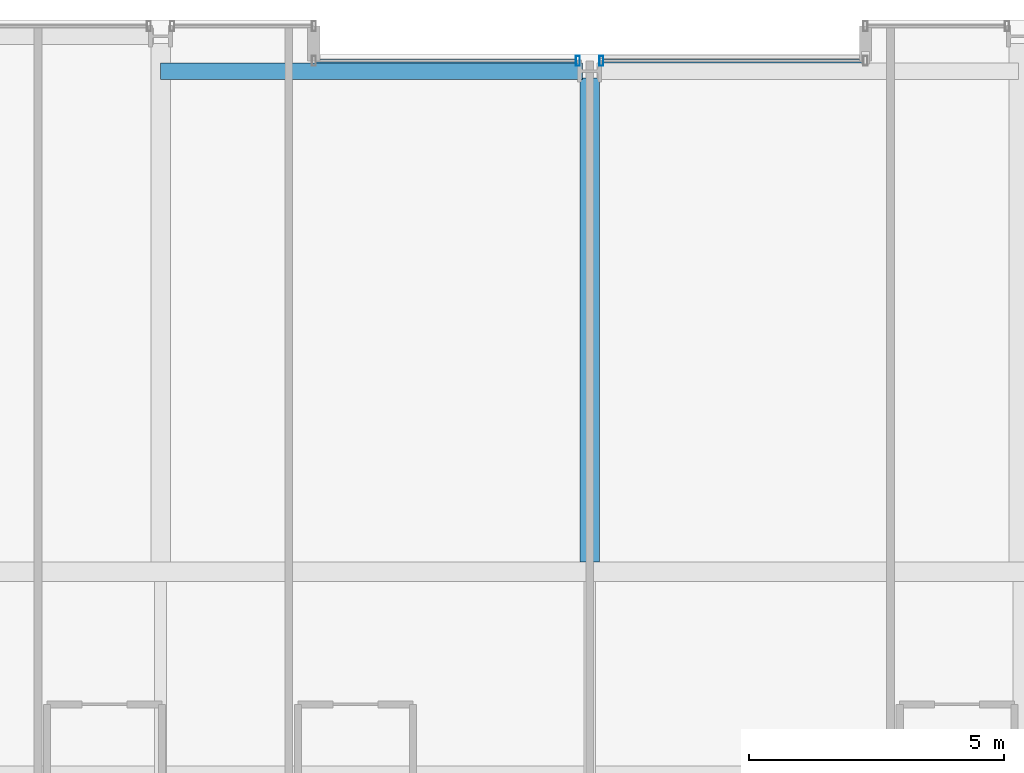
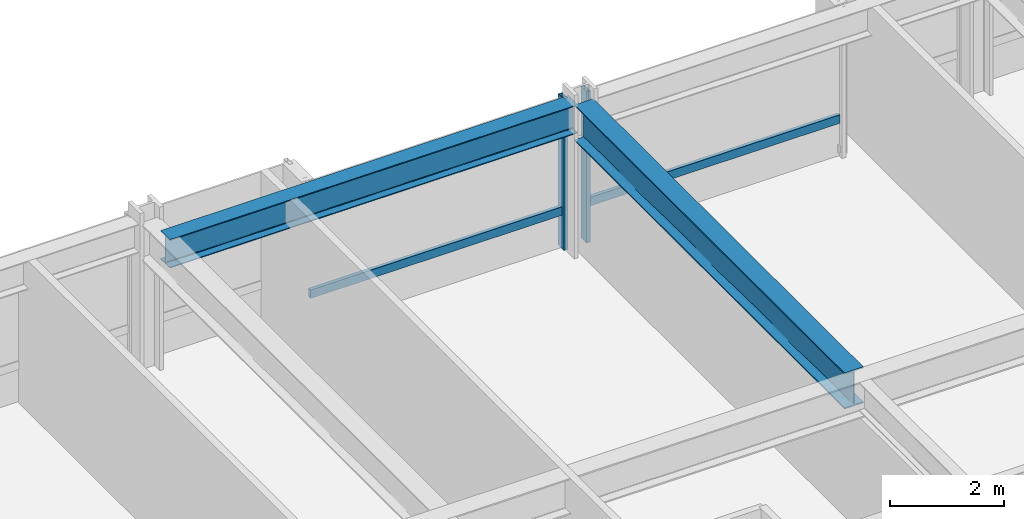
# One storey, part 23 of 38: 4 members, 2 beams, 2 elements without a shape of their own.
"""IFC4 building model written with IfcOpenShell, lengths in metres."""

from ifc_helpers import new_model, si_unit, direction, frame, origin, origin_2d, place, context, subcontext, project, spatial, hollow_rectangle, i_section, extrude, material, layer, layer_set, material_profile, profile_set, type_object, element, aggregate, save


model = new_model("IFC4")

# Units and contexts
model_context = context("Model", 3, precision=1e-05, world=origin(), true_north=direction((0.0, 1.0)))
body_context = subcontext(model_context, "Body", "Model", "MODEL_VIEW")
ifc_project = project(units=[si_unit("LENGTHUNIT", "METRE"), si_unit("AREAUNIT", "SQUARE_METRE"), si_unit("VOLUMEUNIT", "CUBIC_METRE"), si_unit("PLANEANGLEUNIT", "RADIAN"), si_unit("MASSUNIT", "GRAM", prefix="KILO")], contexts=[model_context])

# Site, building, storey
site_placement = place(None, origin())
site = spatial("IfcSite", under=ifc_project, at=site_placement, CompositionType="ELEMENT")
building_placement = place(site_placement, origin())
building = spatial("IfcBuilding", under=site, at=building_placement, Name="Drelvath Grand Hotel", CompositionType="ELEMENT")
storey_placement = place(building_placement, frame((0.0, 0.0, 64.699951171875)))
storey = spatial("IfcBuildingStorey", under=building, at=storey_placement, Name="L15", CompositionType="ELEMENT", Elevation=64.699951171875)

# Curtain wall, member
ifc_material_1 = material(Name="Warm Bronze Anodised Aluminium Frame", Category="aluminium")
ifc_layer = layer(ifc_material_1, 0.199951171875)
ifc_layer_set = layer_set([ifc_layer], Name="Warm Bronze Anodised Aluminium Frame")
curtain_wall_type = type_object("IfcCurtainWallType", Name="Stick Curtain Wall CW-02 Warm Bronze Low-Rise", PredefinedType="NOTDEFINED", material=ifc_layer_set)
curtain_wall_1_placement = place(storey_placement, origin())
curtain_wall_1 = element("IfcCurtainWall", 1, at=curtain_wall_1_placement, inside=storey, type_object=curtain_wall_type, Name="L15 CW-02 Curtain Wall CW02-L15-NM1", PredefinedType="NOTDEFINED")
ifc_material_profile_1 = material_profile(ifc_material_1, hollow_rectangle(XDim=0.074951171875, YDim=0.179931640625, WallThickness=0.0048828125, at=origin_2d()), Name="HSS180X75X5")
ifc_profile_set_1 = profile_set([ifc_material_profile_1], Name="Warm Bronze Anodised Aluminium Frame")
member_type_1 = type_object("IfcMemberType", Name="Curtain Wall Horizontal Transom CW-02 HSS180X75X5", PredefinedType="USERDEFINED", material=ifc_profile_set_1)
member_1_placement = place(storey_placement, frame((-5.360107421875, 53.199951171875, 0.81005859375), z_axis=(1.0, 0.0, 0.0), x_axis=(0.0, 1.0, 0.0)))
member_1 = element("IfcMember", 2, at=member_1_placement, type_object=member_type_1, Name="CW02-L15-NM1 Sill Transom", ObjectType="TRANSOM", PredefinedType="USERDEFINED", context=body_context, shape_type="SweptSolid", body=[
    extrude(hollow_rectangle(XDim=0.074951171875, YDim=0.179931640625, WallThickness=0.0048828125, at=origin_2d()), origin(), (0.0, 0.0, 1.0), 5.091064453125),
])

curtain_wall_2_placement = place(storey_placement, origin())
curtain_wall_2 = element("IfcCurtainWall", 3, at=curtain_wall_2_placement, inside=storey, type_object=curtain_wall_type, Name="L15 CW-02 Curtain Wall CW02-L15-NM2", PredefinedType="NOTDEFINED")
member_2_placement = place(storey_placement, frame((0.26904296875, 53.199951171875, 0.81005859375), z_axis=(1.0, 0.0, 0.0), x_axis=(0.0, 1.0, 0.0)))
member_2 = element("IfcMember", 4, at=member_2_placement, type_object=member_type_1, Name="CW02-L15-NM2 Sill Transom", ObjectType="TRANSOM", PredefinedType="USERDEFINED", context=body_context, shape_type="SweptSolid", body=[
    extrude(hollow_rectangle(XDim=0.074951171875, YDim=0.179931640625, WallThickness=0.0048828125, at=origin_2d()), origin(), (0.0, 0.0, 1.0), 5.091064453125),
])

# Member
ifc_material_profile_2 = material_profile(ifc_material_1, hollow_rectangle(XDim=0.080078125, YDim=0.199951171875, WallThickness=0.0048828125, at=origin_2d()), Name="HSS200X80X5")
ifc_profile_set_2 = profile_set([ifc_material_profile_2], Name="Warm Bronze Anodised Aluminium Frame")
member_type_2 = type_object("IfcMemberType", Name="Curtain Wall Vertical Mullion CW-02 HSS200X80X5", PredefinedType="MULLION", material=ifc_profile_set_2)
member_3_placement = place(storey_placement, frame((-0.22900390625, 53.199951171875, 0.0), z_axis=(0.0, 0.0, 1.0), x_axis=(1.0, 0.0, 0.0)))
member_3 = element("IfcMember", 5, at=member_3_placement, type_object=member_type_2, Name="CW02-L15-NM1 Mullion 2", PredefinedType="MULLION", context=body_context, shape_type="SweptSolid", body=[
    extrude(hollow_rectangle(XDim=0.080078125, YDim=0.199951171875, WallThickness=0.0048828125, at=origin_2d()), origin(), (0.0, 0.0, 1.0), 3.239990234375),
])

aggregate(curtain_wall_1, [member_3, member_1])

member_4_placement = place(storey_placement, frame((0.22900390625, 53.199951171875, 0.0), z_axis=(0.0, 0.0, 1.0), x_axis=(1.0, 0.0, 0.0)))
member_4 = element("IfcMember", 6, at=member_4_placement, type_object=member_type_2, Name="CW02-L15-NM2 Mullion 1", PredefinedType="MULLION", context=body_context, shape_type="SweptSolid", body=[
    extrude(hollow_rectangle(XDim=0.080078125, YDim=0.199951171875, WallThickness=0.0048828125, at=origin_2d()), origin(), (0.0, 0.0, 1.0), 3.239990234375),
])

aggregate(curtain_wall_2, [member_4, member_2])

# Beams
ifc_material_2 = material(Name="Steel ASTM A992 Gr 50", Category="steel")
ifc_material_profile_3 = material_profile(ifc_material_2, i_section(OverallWidth=0.323974609375, OverallDepth=0.611083984375, WebThickness=0.0126953125, FlangeThickness=0.01904296875, FilletRadius=0.02197265625, at=origin_2d()), Name="W24X104")
ifc_profile_set_3 = profile_set([ifc_material_profile_3], Name="Steel ASTM A992 Gr 50")
beam_type_1 = type_object("IfcBeamType", Name="Perimeter Spandrel Beam W24X104", PredefinedType="SPANDREL", material=ifc_profile_set_3)
beam_1_placement = place(storey_placement, frame((-8.39990234375, 53.0, 2.9345703125), z_axis=(1.0, 0.0, 0.0), x_axis=(0.0, 1.0, 0.0)))
element("IfcBeam", 7, at=beam_1_placement, inside=storey, type_object=beam_type_1, Name="L15 Spandrel North Mid W", PredefinedType="SPANDREL", context=body_context, shape_type="SweptSolid", body=[
    extrude(i_section(OverallWidth=0.323974609375, OverallDepth=0.611083984375, WebThickness=0.0126953125, FlangeThickness=0.01904296875, FilletRadius=0.02197265625, at=origin_2d()), origin(), (0.0, 0.0, 1.0), 8.260009765625),
])
ifc_material_profile_4 = material_profile(ifc_material_2, i_section(OverallWidth=0.380615234375, OverallDepth=0.773193359375, WebThickness=0.0166015625, FlangeThickness=0.027099609375, FilletRadius=0.02490234375, at=origin_2d()), Name="W30X173")
ifc_profile_set_4 = profile_set([ifc_material_profile_4], Name="Steel ASTM A992 Gr 50")
beam_type_2 = type_object("IfcBeamType", Name="Primary Floor Girder W30X173", PredefinedType="BEAM", material=ifc_profile_set_4)
beam_2_placement = place(storey_placement, frame((0.0, 43.390380859375, 2.853515625), z_axis=(0.0, 1.0, 0.0), x_axis=(-1.0, 0.0, 0.0)))
element("IfcBeam", 8, at=beam_2_placement, inside=storey, type_object=beam_type_2, Name="L15 North Wing Girder 5", PredefinedType="BEAM", context=body_context, shape_type="SweptSolid", body=[
    extrude(i_section(OverallWidth=0.380615234375, OverallDepth=0.773193359375, WebThickness=0.0166015625, FlangeThickness=0.027099609375, FilletRadius=0.02490234375, at=origin_2d()), origin(), (0.0, 0.0, 1.0), 9.4697265625),
])

save(model, "model.ifc")
